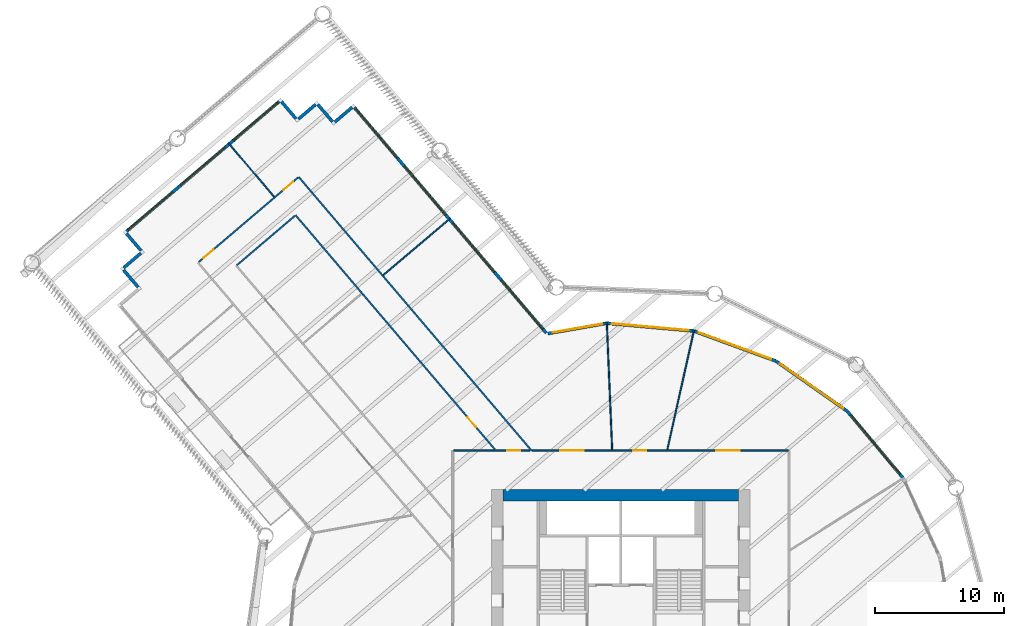
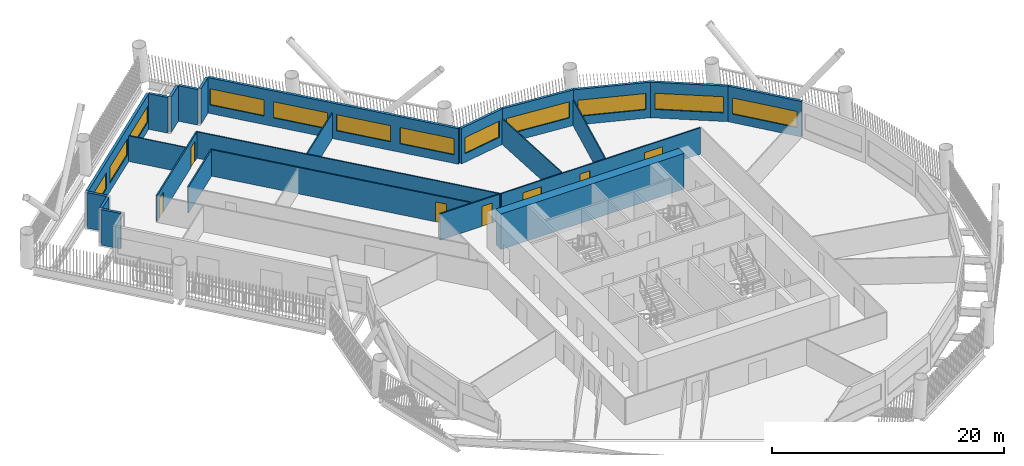
# One storey, part 7 of 21: 25 walls, 12 windows, 7 doors, 19 openings.
"""IFC4 building model written with IfcOpenShell, lengths in metres."""

from ifc_helpers import new_model, si_unit, direction, frame, frame_2d, origin, place, context, subcontext, project, spatial, rectangle, extrude, material, layer, layer_set, type_object, element, fill, save


model = new_model("IFC4")

# Units and contexts
model_context = context("Model", 3, precision=1e-05, world=origin(), true_north=direction((0.0, 1.0)))
body_context = subcontext(model_context, "Body", "Model", "MODEL_VIEW")
ifc_project = project(units=[si_unit("LENGTHUNIT", "METRE"), si_unit("AREAUNIT", "SQUARE_METRE"), si_unit("VOLUMEUNIT", "CUBIC_METRE"), si_unit("PLANEANGLEUNIT", "RADIAN"), si_unit("MASSUNIT", "GRAM", prefix="KILO")], contexts=[model_context])

# Site, building, storey
site_placement = place(None, origin())
site = spatial("IfcSite", under=ifc_project, at=site_placement, CompositionType="ELEMENT")
building_placement = place(site_placement, origin())
building = spatial("IfcBuilding", under=site, at=building_placement, Name="Tarsis Ring Headquarters", CompositionType="ELEMENT")
storey_placement = place(building_placement, frame((0.0, 0.0, 47.800048828125)))
storey = spatial("IfcBuildingStorey", under=building, at=storey_placement, Name="L09", CompositionType="ELEMENT", Elevation=47.800048828125)

# Walls
ifc_material_1 = material(Name="Concrete C60/75", Category="concrete")
ifc_layer_1 = layer(ifc_material_1, 0.89990234375)
ifc_layer_set_1 = layer_set([ifc_layer_1], Name="Core wall 900 C60/75")
wall_type_1 = type_object("IfcWallType", Name="Core wall 900 C60/75", PredefinedType="SHEAR", material=ifc_layer_set_1)
wall_1_placement = place(storey_placement, frame((-9.10009765625, 12.550048828125, 0.0), z_axis=(0.0, 0.0, 1.0), x_axis=(1.0, 0.0, 0.0)))
element("IfcWall", 1, at=wall_1_placement, inside=storey, type_object=wall_type_1, Name="Core wall ON", PredefinedType="SHEAR", context=body_context, shape_type="SweptSolid", body=[
    extrude(rectangle(XDim=18.2001953125, YDim=0.89990234375, at=frame_2d((9.10009765625, 0.0))), origin(), (0.0, 0.0, 1.0), 3.739990234375),
])
ifc_material_2 = material(Name="Gypsum board on steel studs", Category="steel")
ifc_layer_2 = layer(ifc_material_2, 0.10009765625)
ifc_layer_set_2 = layer_set([ifc_layer_2], Name="FL partition 100 unrated")
wall_type_2 = type_object("IfcWallType", Name="FL partition 100 unrated", PredefinedType="PARTITIONING", material=ifc_layer_set_2)
wall_2_placement = place(storey_placement, frame((-1.086669921875, 25.925048828125, 0.0), z_axis=(0.0, 0.0, 1.0), x_axis=(0.041878653746, -0.999122704356, 0.0)))
element("IfcWall", 2, at=wall_2_placement, inside=storey, type_object=wall_type_2, Name="Partition PW3", PredefinedType="PARTITIONING", context=body_context, shape_type="SweptSolid", body=[
    extrude(rectangle(XDim=9.86376953125, YDim=0.10009765625, at=frame_2d((4.931884765625, 0.0))), origin(), (0.0, 0.0, 1.0), 2.699951171875),
])
wall_3_placement = place(storey_placement, frame((3.591796875, 16.068359375, 0.0), z_axis=(0.0, 0.0, 1.0), x_axis=(0.218137886552, 0.975917958873, 0.0)))
element("IfcWall", 3, at=wall_3_placement, inside=storey, type_object=wall_type_2, Name="Partition PW3", PredefinedType="PARTITIONING", context=body_context, shape_type="SweptSolid", body=[
    extrude(rectangle(XDim=9.48291015625, YDim=0.10009765625, at=frame_2d((4.741455078125, 0.0))), origin(), (0.0, 0.0, 1.0), 2.699951171875),
])
wall_4_placement = place(storey_placement, frame((-18.363525390625, 29.5693359375, 0.0), z_axis=(0.0, 0.0, 1.0), x_axis=(0.761520075531, 0.648141322987, 0.0)))
element("IfcWall", 4, at=wall_4_placement, inside=storey, type_object=wall_type_2, Name="Partition PW3", PredefinedType="PARTITIONING", context=body_context, shape_type="SweptSolid", body=[
    extrude(rectangle(XDim=6.77001953125, YDim=0.10009765625, at=frame_2d((3.385009765625, 0.0))), origin(), (0.0, 0.0, 1.0), 2.699951171875),
])
wall_5_placement = place(storey_placement, frame((-30.34033203125, 39.769287109375, 0.0), z_axis=(0.0, 0.0, 1.0), x_axis=(0.648132499408, -0.761527585325, 0.0)))
element("IfcWall", 5, at=wall_5_placement, inside=storey, type_object=wall_type_2, Name="Partition PW3", PredefinedType="PARTITIONING", context=body_context, shape_type="SweptSolid", body=[
    extrude(rectangle(XDim=5.429931640625, YDim=0.10009765625, at=frame_2d((2.71484375, 0.0))), origin(), (0.0, 0.0, 1.0), 2.699951171875),
])
ifc_layer_3 = layer(ifc_material_2, 0.125)
ifc_layer_set_3 = layer_set([ifc_layer_3], Name="FL partition 125 EI 60 H2770")
wall_type_3 = type_object("IfcWallType", Name="FL partition 125 EI 60 H2770", PredefinedType="PARTITIONING", material=ifc_layer_set_3)
wall_6_placement = place(storey_placement, frame((-24.91748046875, 37.162353515625, 0.0), z_axis=(0.0, 0.0, 1.0), x_axis=(0.648118304309, -0.761539666478, 0.0)))
element("IfcWall", 6, at=wall_6_placement, inside=storey, type_object=wall_type_3, Name="Partition PW1", PredefinedType="PARTITIONING", context=body_context, shape_type="SweptSolid", body=[
    extrude(rectangle(XDim=27.788818359375, YDim=0.125, at=frame_2d((13.89453125, 0.0))), origin(), (0.0, 0.0, 1.0), 2.77001953125),
])

# Wall, opening, door
wall_7_placement = place(storey_placement, frame((-12.93896484375, 16.0, 0.0), z_axis=(0.0, 0.0, 1.0), x_axis=(1.0, 0.0, 0.0)))
wall_7 = element("IfcWall", 7, at=wall_7_placement, inside=storey, type_object=wall_type_3, Name="Partition PW1", PredefinedType="PARTITIONING", context=body_context, shape_type="SweptSolid", body=[
    extrude(rectangle(XDim=5.896728515625, YDim=0.125, at=frame_2d((2.9482421875, 0.0))), origin(), (0.0, 0.0, 1.0), 2.77001953125),
])
opening_1_placement = place(wall_7_placement, frame((4.1533203125, 0.0, 0.0)))
opening_1 = element("IfcOpeningElement", 8, at=opening_1_placement, cuts=wall_7, Name="Opening D09.22", PredefinedType="OPENING", context=body_context, shape_type="SweptSolid", body=[
    extrude(rectangle(XDim=1.0, YDim=2.10009765625, at=frame_2d((0.5, 1.050048828125))), frame((0.0, 0.072509765625, 0.0), z_axis=(0.0, -1.0, 0.0), x_axis=(1.0, 0.0, 0.0)), (0.0, 0.0, 1.0), 0.14501953125),
])
ifc_material_3 = material(Name="Fire-rated timber door leaf in steel frame", Category="steel")
door_type_1 = type_object("IfcDoorType", Name="FL door FD60-1000", OperationType="NOTDEFINED", PredefinedType="DOOR", material=ifc_material_3)
door_1_placement = place(opening_1_placement, origin())
door_1 = element("IfcDoor", 9, at=door_1_placement, inside=storey, type_object=door_type_1, Name="Door D09.22", OperationType="SINGLE_SWING_LEFT", OverallHeight=2.10009765625, OverallWidth=1.0, PredefinedType="DOOR", context=body_context, shape_type="SweptSolid", body=[
    extrude(rectangle(XDim=1.0, YDim=2.10009765625, at=frame_2d((0.5, 1.050048828125))), frame((0.0, 0.02490234375, 0.0), z_axis=(0.0, -1.0, 0.0), x_axis=(1.0, 0.0, 0.0)), (0.0, 0.0, 1.0), 0.050048828125),
])
fill(opening_1, door_1)

# Wall, openings, doors
wall_8_placement = place(storey_placement, frame((-6.859375, 16.0, 0.0), z_axis=(0.0, 0.0, 1.0), x_axis=(1.0, 0.0, 0.0)))
wall_8 = element("IfcWall", 10, at=wall_8_placement, inside=storey, type_object=wall_type_3, Name="Partition PW1", PredefinedType="PARTITIONING", context=body_context, shape_type="SweptSolid", body=[
    extrude(rectangle(XDim=19.79931640625, YDim=0.125, at=frame_2d((9.899658203125, 0.0))), origin(), (0.0, 0.0, 1.0), 2.77001953125),
])
opening_2_placement = place(wall_8_placement, frame((2.170654296875, 0.0, 0.0)))
opening_2 = element("IfcOpeningElement", 11, at=opening_2_placement, cuts=wall_8, Name="Opening D09.03", PredefinedType="OPENING", context=body_context, shape_type="SweptSolid", body=[
    extrude(rectangle(XDim=1.800048828125, YDim=2.10009765625, at=frame_2d((0.89990234375, 1.050048828125))), frame((0.0, 0.072509765625, 0.0), z_axis=(0.0, -1.0, 0.0), x_axis=(1.0, 0.0, 0.0)), (0.0, 0.0, 1.0), 0.14501953125),
])
opening_3_placement = place(wall_8_placement, frame((7.812255859375, 0.0, 0.0)))
opening_3 = element("IfcOpeningElement", 12, at=opening_3_placement, cuts=wall_8, Name="Opening D09.04", PredefinedType="OPENING", context=body_context, shape_type="SweptSolid", body=[
    extrude(rectangle(XDim=1.0, YDim=2.10009765625, at=frame_2d((0.5, 1.050048828125))), frame((0.0, 0.072509765625, 0.0), z_axis=(0.0, -1.0, 0.0), x_axis=(1.0, 0.0, 0.0)), (0.0, 0.0, 1.0), 0.14501953125),
])
opening_4_placement = place(wall_8_placement, frame((14.24755859375, 0.0, 0.0)))
opening_4 = element("IfcOpeningElement", 13, at=opening_4_placement, cuts=wall_8, Name="Opening D09.05", PredefinedType="OPENING", context=body_context, shape_type="SweptSolid", body=[
    extrude(rectangle(XDim=1.800048828125, YDim=2.10009765625, at=frame_2d((0.89990234375, 1.050048828125))), frame((0.0, 0.072509765625, 0.0), z_axis=(0.0, -1.0, 0.0), x_axis=(1.0, 0.0, 0.0)), (0.0, 0.0, 1.0), 0.14501953125),
])
door_2_placement = place(opening_3_placement, origin())
door_2 = element("IfcDoor", 14, at=door_2_placement, inside=storey, type_object=door_type_1, Name="Door D09.04", OperationType="SINGLE_SWING_LEFT", OverallHeight=2.10009765625, OverallWidth=1.0, PredefinedType="DOOR", context=body_context, shape_type="SweptSolid", body=[
    extrude(rectangle(XDim=1.0, YDim=2.10009765625, at=frame_2d((0.5, 1.050048828125))), frame((0.0, 0.02490234375, 0.0), z_axis=(0.0, -1.0, 0.0), x_axis=(1.0, 0.0, 0.0)), (0.0, 0.0, 1.0), 0.050048828125),
])
fill(opening_3, door_2)
door_type_2 = type_object("IfcDoorType", Name="FL door FD60-1800", OperationType="DOUBLE_DOOR_SINGLE_SWING", PredefinedType="DOOR", material=ifc_material_3)
door_3_placement = place(opening_2_placement, origin())
door_3 = element("IfcDoor", 15, at=door_3_placement, inside=storey, type_object=door_type_2, Name="Door D09.03", OperationType="DOUBLE_DOOR_SINGLE_SWING", OverallHeight=2.10009765625, OverallWidth=1.800048828125, PredefinedType="DOOR", context=body_context, shape_type="SweptSolid", body=[
    extrude(rectangle(XDim=1.800048828125, YDim=2.10009765625, at=frame_2d((0.89990234375, 1.050048828125))), frame((0.0, 0.02490234375, 0.0), z_axis=(0.0, -1.0, 0.0), x_axis=(1.0, 0.0, 0.0)), (0.0, 0.0, 1.0), 0.050048828125),
])
fill(opening_2, door_3)
door_4_placement = place(opening_4_placement, origin())
door_4 = element("IfcDoor", 16, at=door_4_placement, inside=storey, type_object=door_type_2, Name="Door D09.05", OperationType="DOUBLE_DOOR_SINGLE_SWING", OverallHeight=2.10009765625, OverallWidth=1.800048828125, PredefinedType="DOOR", context=body_context, shape_type="SweptSolid", body=[
    extrude(rectangle(XDim=1.800048828125, YDim=2.10009765625, at=frame_2d((0.89990234375, 1.050048828125))), frame((0.0, 0.02490234375, 0.0), z_axis=(0.0, -1.0, 0.0), x_axis=(1.0, 0.0, 0.0)), (0.0, 0.0, 1.0), 0.050048828125),
])
fill(opening_4, door_4)

# Wall, opening, door
wall_9_placement = place(storey_placement, frame((-25.155517578125, 34.201904296875, 0.0), z_axis=(0.0, 0.0, 1.0), x_axis=(0.648120022936, -0.761538203815, 0.0)))
wall_9 = element("IfcWall", 17, at=wall_9_placement, inside=storey, type_object=wall_type_3, Name="Partition PW1", PredefinedType="PARTITIONING", context=body_context, shape_type="SweptSolid", body=[
    extrude(rectangle(XDim=23.781494140625, YDim=0.125, at=frame_2d((11.890625, 0.0))), origin(), (0.0, 0.0, 1.0), 2.77001953125),
])
opening_5_placement = place(wall_9_placement, frame((20.522216796875, 0.0, 0.0)))
opening_5 = element("IfcOpeningElement", 18, at=opening_5_placement, cuts=wall_9, Name="Opening D09.15", PredefinedType="OPENING", context=body_context, shape_type="SweptSolid", body=[
    extrude(rectangle(XDim=1.0, YDim=2.10009765625, at=frame_2d((0.5, 1.050048828125))), frame((0.0, 0.072509765625, 0.0), z_axis=(0.0, -1.0, 0.0), x_axis=(1.0, 0.0, 0.0)), (0.0, 0.0, 1.0), 0.14501953125),
])
door_5_placement = place(opening_5_placement, origin())
door_5 = element("IfcDoor", 19, at=door_5_placement, inside=storey, type_object=door_type_1, Name="Door D09.15", OperationType="SINGLE_SWING_RIGHT", OverallHeight=2.10009765625, OverallWidth=1.0, PredefinedType="DOOR", context=body_context, shape_type="SweptSolid", body=[
    extrude(rectangle(XDim=1.0, YDim=2.10009765625, at=frame_2d((0.5, 1.050048828125))), frame((0.0, 0.02490234375, 0.0), z_axis=(0.0, -1.0, 0.0), x_axis=(1.0, 0.0, 0.0)), (0.0, 0.0, 1.0), 0.050048828125),
])
fill(opening_5, door_5)

# Wall, openings, doors
wall_10_placement = place(storey_placement, frame((-32.65478515625, 30.577392578125, 0.0), z_axis=(0.0, 0.0, 1.0), x_axis=(0.761548528009, 0.648107891857, 0.0)))
wall_10 = element("IfcWall", 20, at=wall_10_placement, inside=storey, type_object=wall_type_3, Name="Partition PW1", PredefinedType="PARTITIONING", context=body_context, shape_type="SweptSolid", body=[
    extrude(rectangle(XDim=10.10009765625, YDim=0.125, at=frame_2d((5.050048828125, 0.0))), origin(), (0.0, 0.0, 1.0), 2.77001953125),
])
opening_6_placement = place(wall_10_placement, frame((0.489990234375, 0.0, 0.0)))
opening_6 = element("IfcOpeningElement", 21, at=opening_6_placement, cuts=wall_10, Name="Opening D09.01", PredefinedType="OPENING", context=body_context, shape_type="SweptSolid", body=[
    extrude(rectangle(XDim=1.0, YDim=2.10009765625, at=frame_2d((0.5, 1.050048828125))), frame((0.0, 0.072509765625, 0.0), z_axis=(0.0, -1.0, 0.0), x_axis=(1.0, 0.0, 0.0)), (0.0, 0.0, 1.0), 0.14501953125),
])
opening_7_placement = place(wall_10_placement, frame((8.610107421875, 0.0, 0.0)))
opening_7 = element("IfcOpeningElement", 22, at=opening_7_placement, cuts=wall_10, Name="Opening D09.02", PredefinedType="OPENING", context=body_context, shape_type="SweptSolid", body=[
    extrude(rectangle(XDim=1.0, YDim=2.10009765625, at=frame_2d((0.5, 1.050048828125))), frame((0.0, 0.072509765625, 0.0), z_axis=(0.0, -1.0, 0.0), x_axis=(1.0, 0.0, 0.0)), (0.0, 0.0, 1.0), 0.14501953125),
])
door_6_placement = place(opening_6_placement, origin())
door_6 = element("IfcDoor", 23, at=door_6_placement, inside=storey, type_object=door_type_1, Name="Door D09.01", OperationType="SINGLE_SWING_RIGHT", OverallHeight=2.10009765625, OverallWidth=1.0, PredefinedType="DOOR", context=body_context, shape_type="SweptSolid", body=[
    extrude(rectangle(XDim=1.0, YDim=2.10009765625, at=frame_2d((0.5, 1.050048828125))), frame((0.0, 0.02490234375, 0.0), z_axis=(0.0, -1.0, 0.0), x_axis=(1.0, 0.0, 0.0)), (0.0, 0.0, 1.0), 0.050048828125),
])
fill(opening_6, door_6)
door_7_placement = place(opening_7_placement, origin())
door_7 = element("IfcDoor", 24, at=door_7_placement, inside=storey, type_object=door_type_1, Name="Door D09.02", OperationType="SINGLE_SWING_LEFT", OverallHeight=2.10009765625, OverallWidth=1.0, PredefinedType="DOOR", context=body_context, shape_type="SweptSolid", body=[
    extrude(rectangle(XDim=1.0, YDim=2.10009765625, at=frame_2d((0.5, 1.050048828125))), frame((0.0, 0.02490234375, 0.0), z_axis=(0.0, -1.0, 0.0), x_axis=(1.0, 0.0, 0.0)), (0.0, 0.0, 1.0), 0.050048828125),
])
fill(opening_7, door_7)

# Wall
wall_11_placement = place(storey_placement, frame((-29.6943359375, 30.339111328125, 0.0), z_axis=(0.0, 0.0, 1.0), x_axis=(0.761521572741, 0.648139563867, 0.0)))
element("IfcWall", 25, at=wall_11_placement, inside=storey, type_object=wall_type_3, Name="Partition PW1", PredefinedType="PARTITIONING", context=body_context, shape_type="SweptSolid", body=[
    extrude(rectangle(XDim=5.89990234375, YDim=0.125, at=frame_2d((2.949951171875, 0.0))), origin(), (0.0, 0.0, 1.0), 2.77001953125),
])

# Wall, opening, window
ifc_material_4 = material(Name="Terracotta clad insulated panel wall", Category="masonry")
ifc_layer_4 = layer(ifc_material_4, 0.25)
ifc_layer_set_4 = layer_set([ifc_layer_4], Name="Facade wall terracotta panel 250")
wall_type_4 = type_object("IfcWallType", Name="Facade wall terracotta panel 250", PredefinedType="STANDARD", material=ifc_layer_set_4)
wall_12_placement = place(storey_placement, frame((21.83544921875, 13.87646484375, 0.0), z_axis=(0.0, 0.0, 1.0), x_axis=(-0.641433956666, 0.767178257797, 0.0)))
wall_12 = element("IfcWall", 26, at=wall_12_placement, inside=storey, type_object=wall_type_4, Name="External wall L09-26", PredefinedType="STANDARD", context=body_context, shape_type="SweptSolid", body=[
    extrude(rectangle(XDim=6.7216796875, YDim=0.25, at=frame_2d((3.36083984375, 0.0))), origin(), (0.0, 0.0, 1.0), 3.739990234375),
])
opening_8_placement = place(wall_12_placement, frame((0.3857421875, 0.0, 0.89990234375)))
opening_8 = element("IfcOpeningElement", 27, at=opening_8_placement, cuts=wall_12, Name="Opening WN07", PredefinedType="OPENING", context=body_context, shape_type="SweptSolid", body=[
    extrude(rectangle(XDim=5.949951171875, YDim=1.699951171875, at=frame_2d((2.97509765625, 0.85009765625))), frame((0.0, 0.135009765625, 0.0), z_axis=(0.0, -1.0, 0.0), x_axis=(1.0, 0.0, 0.0)), (0.0, 0.0, 1.0), 0.27001953125),
])
ifc_material_5 = material(Name="Aluminium framed double glazing", Category="aluminium")
window_type_1 = type_object("IfcWindowType", Name="Facade window 5950 x 1700", PartitioningType="SINGLE_PANEL", PredefinedType="WINDOW", material=ifc_material_5)
window_1_placement = place(opening_8_placement, origin())
window_1 = element("IfcWindow", 28, at=window_1_placement, inside=storey, type_object=window_type_1, Name="Window L09-26.1", OverallHeight=1.699951171875, OverallWidth=5.949951171875, PartitioningType="SINGLE_PANEL", PredefinedType="WINDOW", context=body_context, shape_type="SweptSolid", body=[
    extrude(rectangle(XDim=5.949951171875, YDim=1.699951171875, at=frame_2d((2.97509765625, 0.85009765625))), frame((0.0, 0.030029296875, 0.0), z_axis=(0.0, -1.0, 0.0), x_axis=(1.0, 0.0, 0.0)), (0.0, 0.0, 1.0), 0.06005859375),
])
fill(opening_8, window_1)

wall_13_placement = place(storey_placement, frame((17.5, 19.05517578125, 0.0), z_axis=(0.0, 0.0, 1.0), x_axis=(-0.818146900541, 0.575009260043, 0.0)))
wall_13 = element("IfcWall", 29, at=wall_13_placement, inside=storey, type_object=wall_type_4, Name="External wall L09-27", PredefinedType="STANDARD", context=body_context, shape_type="SweptSolid", body=[
    extrude(rectangle(XDim=6.7216796875, YDim=0.25, at=frame_2d((3.36083984375, 0.0))), origin(), (0.0, 0.0, 1.0), 3.739990234375),
])
opening_9_placement = place(wall_13_placement, frame((0.3857421875, 0.0, 0.89990234375)))
opening_9 = element("IfcOpeningElement", 30, at=opening_9_placement, cuts=wall_13, Name="Opening WN07", PredefinedType="OPENING", context=body_context, shape_type="SweptSolid", body=[
    extrude(rectangle(XDim=5.949951171875, YDim=1.699951171875, at=frame_2d((2.97509765625, 0.85009765625))), frame((0.0, 0.135009765625, 0.0), z_axis=(0.0, -1.0, 0.0), x_axis=(1.0, 0.0, 0.0)), (0.0, 0.0, 1.0), 0.27001953125),
])
window_2_placement = place(opening_9_placement, origin())
window_2 = element("IfcWindow", 31, at=window_2_placement, inside=storey, type_object=window_type_1, Name="Window L09-27.1", OverallHeight=1.699951171875, OverallWidth=5.949951171875, PartitioningType="SINGLE_PANEL", PredefinedType="WINDOW", context=body_context, shape_type="SweptSolid", body=[
    extrude(rectangle(XDim=5.949951171875, YDim=1.699951171875, at=frame_2d((2.97509765625, 0.85009765625))), frame((0.0, 0.030029296875, 0.0), z_axis=(0.0, -1.0, 0.0), x_axis=(1.0, 0.0, 0.0)), (0.0, 0.0, 1.0), 0.06005859375),
])
fill(opening_9, window_2)

wall_14_placement = place(storey_placement, frame((11.971923828125, 22.935302734375, 0.0), z_axis=(0.0, 0.0, 1.0), x_axis=(-0.939101125744, 0.343640910875, 0.0)))
wall_14 = element("IfcWall", 32, at=wall_14_placement, inside=storey, type_object=wall_type_4, Name="External wall L09-28", PredefinedType="STANDARD", context=body_context, shape_type="SweptSolid", body=[
    extrude(rectangle(XDim=6.7216796875, YDim=0.25, at=frame_2d((3.36083984375, 0.0))), origin(), (0.0, 0.0, 1.0), 3.739990234375),
])
opening_10_placement = place(wall_14_placement, frame((0.3857421875, 0.0, 0.89990234375)))
opening_10 = element("IfcOpeningElement", 33, at=opening_10_placement, cuts=wall_14, Name="Opening WN07", PredefinedType="OPENING", context=body_context, shape_type="SweptSolid", body=[
    extrude(rectangle(XDim=5.949951171875, YDim=1.699951171875, at=frame_2d((2.97509765625, 0.85009765625))), frame((0.0, 0.135009765625, 0.0), z_axis=(0.0, -1.0, 0.0), x_axis=(1.0, 0.0, 0.0)), (0.0, 0.0, 1.0), 0.27001953125),
])
window_3_placement = place(opening_10_placement, origin())
window_3 = element("IfcWindow", 34, at=window_3_placement, inside=storey, type_object=window_type_1, Name="Window L09-28.1", OverallHeight=1.699951171875, OverallWidth=5.949951171875, PartitioningType="SINGLE_PANEL", PredefinedType="WINDOW", context=body_context, shape_type="SweptSolid", body=[
    extrude(rectangle(XDim=5.949951171875, YDim=1.699951171875, at=frame_2d((2.97509765625, 0.85009765625))), frame((0.0, 0.030029296875, 0.0), z_axis=(0.0, -1.0, 0.0), x_axis=(1.0, 0.0, 0.0)), (0.0, 0.0, 1.0), 0.06005859375),
])
fill(opening_10, window_3)

wall_15_placement = place(storey_placement, frame((5.6279296875, 25.252197265625, 0.0), z_axis=(0.0, 0.0, 1.0), x_axis=(-0.996039256374, 0.088914564402, 0.0)))
wall_15 = element("IfcWall", 35, at=wall_15_placement, inside=storey, type_object=wall_type_4, Name="External wall L09-29", PredefinedType="STANDARD", context=body_context, shape_type="SweptSolid", body=[
    extrude(rectangle(XDim=6.7216796875, YDim=0.25, at=frame_2d((3.36083984375, 0.0))), origin(), (0.0, 0.0, 1.0), 3.739990234375),
])
opening_11_placement = place(wall_15_placement, frame((0.3857421875, 0.0, 0.89990234375)))
opening_11 = element("IfcOpeningElement", 36, at=opening_11_placement, cuts=wall_15, Name="Opening WN07", PredefinedType="OPENING", context=body_context, shape_type="SweptSolid", body=[
    extrude(rectangle(XDim=5.949951171875, YDim=1.699951171875, at=frame_2d((2.97509765625, 0.85009765625))), frame((0.0, 0.135009765625, 0.0), z_axis=(0.0, -1.0, 0.0), x_axis=(1.0, 0.0, 0.0)), (0.0, 0.0, 1.0), 0.27001953125),
])
window_4_placement = place(opening_11_placement, origin())
window_4 = element("IfcWindow", 37, at=window_4_placement, inside=storey, type_object=window_type_1, Name="Window L09-29.1", OverallHeight=1.699951171875, OverallWidth=5.949951171875, PartitioningType="SINGLE_PANEL", PredefinedType="WINDOW", context=body_context, shape_type="SweptSolid", body=[
    extrude(rectangle(XDim=5.949951171875, YDim=1.699951171875, at=frame_2d((2.97509765625, 0.85009765625))), frame((0.0, 0.030029296875, 0.0), z_axis=(0.0, -1.0, 0.0), x_axis=(1.0, 0.0, 0.0)), (0.0, 0.0, 1.0), 0.06005859375),
])
fill(opening_11, window_4)

wall_16_placement = place(storey_placement, frame((-1.099609375, 25.848388671875, 0.0), z_axis=(0.0, 0.0, 1.0), x_axis=(-0.985109138877, -0.171930173328, 0.0)))
wall_16 = element("IfcWall", 38, at=wall_16_placement, inside=storey, type_object=wall_type_4, Name="External wall L09-30", PredefinedType="STANDARD", context=body_context, shape_type="SweptSolid", body=[
    extrude(rectangle(XDim=4.617919921875, YDim=0.25, at=frame_2d((2.30908203125, 0.0))), origin(), (0.0, 0.0, 1.0), 3.739990234375),
])
opening_12_placement = place(wall_16_placement, frame((0.367431640625, 0.0, 0.89990234375)))
opening_12 = element("IfcOpeningElement", 39, at=opening_12_placement, cuts=wall_16, Name="Opening WN02", PredefinedType="OPENING", context=body_context, shape_type="SweptSolid", body=[
    extrude(rectangle(XDim=3.85009765625, YDim=1.699951171875, at=frame_2d((1.925048828125, 0.85009765625))), frame((0.0, 0.135009765625, 0.0), z_axis=(0.0, -1.0, 0.0), x_axis=(1.0, 0.0, 0.0)), (0.0, 0.0, 1.0), 0.27001953125),
])
window_type_2 = type_object("IfcWindowType", Name="Facade window 3850 x 1700", PartitioningType="SINGLE_PANEL", PredefinedType="WINDOW", material=ifc_material_5)
window_5_placement = place(opening_12_placement, origin())
window_5 = element("IfcWindow", 40, at=window_5_placement, inside=storey, type_object=window_type_2, Name="Window L09-30.1", OverallHeight=1.699951171875, OverallWidth=3.85009765625, PartitioningType="SINGLE_PANEL", PredefinedType="WINDOW", context=body_context, shape_type="SweptSolid", body=[
    extrude(rectangle(XDim=3.85009765625, YDim=1.699951171875, at=frame_2d((1.925048828125, 0.85009765625))), frame((0.0, 0.030029296875, 0.0), z_axis=(0.0, -1.0, 0.0), x_axis=(1.0, 0.0, 0.0)), (0.0, 0.0, 1.0), 0.06005859375),
])
fill(opening_12, window_5)

# Wall, openings, windows
wall_17_placement = place(storey_placement, frame((-5.765380859375, 25.0966796875, 0.0), z_axis=(0.0, 0.0, 1.0), x_axis=(-0.648120208042, 0.761538046277, 0.0)))
wall_17 = element("IfcWall", 41, at=wall_17_placement, inside=storey, type_object=wall_type_4, Name="External wall L09-31", PredefinedType="STANDARD", context=body_context, shape_type="SweptSolid", body=[
    extrude(rectangle(XDim=22.9013671875, YDim=0.25, at=frame_2d((11.45068359375, 0.0))), origin(), (0.0, 0.0, 1.0), 3.739990234375),
])
opening_13_placement = place(wall_17_placement, frame((0.4189453125, 0.0, 0.89990234375)))
opening_13 = element("IfcOpeningElement", 42, at=opening_13_placement, cuts=wall_17, Name="Opening WN05", PredefinedType="OPENING", context=body_context, shape_type="SweptSolid", body=[
    extrude(rectangle(XDim=4.949951171875, YDim=1.699951171875, at=frame_2d((2.47509765625, 0.85009765625))), frame((0.0, 0.135009765625, 0.0), z_axis=(0.0, -1.0, 0.0), x_axis=(1.0, 0.0, 0.0)), (0.0, 0.0, 1.0), 0.27001953125),
])
opening_14_placement = place(wall_17_placement, frame((6.206787109375, 0.0, 0.89990234375)))
opening_14 = element("IfcOpeningElement", 43, at=opening_14_placement, cuts=wall_17, Name="Opening WN05", PredefinedType="OPENING", context=body_context, shape_type="SweptSolid", body=[
    extrude(rectangle(XDim=4.949951171875, YDim=1.699951171875, at=frame_2d((2.47509765625, 0.85009765625))), frame((0.0, 0.135009765625, 0.0), z_axis=(0.0, -1.0, 0.0), x_axis=(1.0, 0.0, 0.0)), (0.0, 0.0, 1.0), 0.27001953125),
])
opening_15_placement = place(wall_17_placement, frame((11.99462890625, 0.0, 0.89990234375)))
opening_15 = element("IfcOpeningElement", 44, at=opening_15_placement, cuts=wall_17, Name="Opening WN05", PredefinedType="OPENING", context=body_context, shape_type="SweptSolid", body=[
    extrude(rectangle(XDim=4.949951171875, YDim=1.699951171875, at=frame_2d((2.47509765625, 0.85009765625))), frame((0.0, 0.135009765625, 0.0), z_axis=(0.0, -1.0, 0.0), x_axis=(1.0, 0.0, 0.0)), (0.0, 0.0, 1.0), 0.27001953125),
])
opening_16_placement = place(wall_17_placement, frame((17.782470703125, 0.0, 0.89990234375)))
opening_16 = element("IfcOpeningElement", 45, at=opening_16_placement, cuts=wall_17, Name="Opening WN05", PredefinedType="OPENING", context=body_context, shape_type="SweptSolid", body=[
    extrude(rectangle(XDim=4.949951171875, YDim=1.699951171875, at=frame_2d((2.47509765625, 0.85009765625))), frame((0.0, 0.135009765625, 0.0), z_axis=(0.0, -1.0, 0.0), x_axis=(1.0, 0.0, 0.0)), (0.0, 0.0, 1.0), 0.27001953125),
])
window_type_3 = type_object("IfcWindowType", Name="Facade window 4950 x 1700", PartitioningType="SINGLE_PANEL", PredefinedType="WINDOW", material=ifc_material_5)
window_6_placement = place(opening_13_placement, origin())
window_6 = element("IfcWindow", 46, at=window_6_placement, inside=storey, type_object=window_type_3, Name="Window L09-31.1", OverallHeight=1.699951171875, OverallWidth=4.949951171875, PartitioningType="SINGLE_PANEL", PredefinedType="WINDOW", context=body_context, shape_type="SweptSolid", body=[
    extrude(rectangle(XDim=4.949951171875, YDim=1.699951171875, at=frame_2d((2.47509765625, 0.85009765625))), frame((0.0, 0.030029296875, 0.0), z_axis=(0.0, -1.0, 0.0), x_axis=(1.0, 0.0, 0.0)), (0.0, 0.0, 1.0), 0.06005859375),
])
fill(opening_13, window_6)
window_7_placement = place(opening_14_placement, origin())
window_7 = element("IfcWindow", 47, at=window_7_placement, inside=storey, type_object=window_type_3, Name="Window L09-31.2", OverallHeight=1.699951171875, OverallWidth=4.949951171875, PartitioningType="SINGLE_PANEL", PredefinedType="WINDOW", context=body_context, shape_type="SweptSolid", body=[
    extrude(rectangle(XDim=4.949951171875, YDim=1.699951171875, at=frame_2d((2.47509765625, 0.85009765625))), frame((0.0, 0.030029296875, 0.0), z_axis=(0.0, -1.0, 0.0), x_axis=(1.0, 0.0, 0.0)), (0.0, 0.0, 1.0), 0.06005859375),
])
fill(opening_14, window_7)
window_8_placement = place(opening_15_placement, origin())
window_8 = element("IfcWindow", 48, at=window_8_placement, inside=storey, type_object=window_type_3, Name="Window L09-31.3", OverallHeight=1.699951171875, OverallWidth=4.949951171875, PartitioningType="SINGLE_PANEL", PredefinedType="WINDOW", context=body_context, shape_type="SweptSolid", body=[
    extrude(rectangle(XDim=4.949951171875, YDim=1.699951171875, at=frame_2d((2.47509765625, 0.85009765625))), frame((0.0, 0.030029296875, 0.0), z_axis=(0.0, -1.0, 0.0), x_axis=(1.0, 0.0, 0.0)), (0.0, 0.0, 1.0), 0.06005859375),
])
fill(opening_15, window_8)
window_9_placement = place(opening_16_placement, origin())
window_9 = element("IfcWindow", 49, at=window_9_placement, inside=storey, type_object=window_type_3, Name="Window L09-31.4", OverallHeight=1.699951171875, OverallWidth=4.949951171875, PartitioningType="SINGLE_PANEL", PredefinedType="WINDOW", context=body_context, shape_type="SweptSolid", body=[
    extrude(rectangle(XDim=4.949951171875, YDim=1.699951171875, at=frame_2d((2.47509765625, 0.85009765625))), frame((0.0, 0.030029296875, 0.0), z_axis=(0.0, -1.0, 0.0), x_axis=(1.0, 0.0, 0.0)), (0.0, 0.0, 1.0), 0.06005859375),
])
fill(opening_16, window_9)

# Walls
for number, where, z_axis, x_axis, name in (
    (50, (-20.784423828125, 42.551025390625, 0.0), (0.0, 0.0, 1.0), (-0.761536459762, -0.648122072185, 0.0), "External wall L09-32"),
    (51, (-22.293212890625, 41.430908203125, 0.0), (0.0, 0.0, 1.0), (-0.648122072185, 0.761536459762, 0.0), "External wall L09-33"),
    (52, (-23.603759765625, 42.77783203125, 0.0), (0.0, 0.0, 1.0), (-0.761536459762, -0.648122072185, 0.0), "External wall L09-34"),
    (53, (-25.112548828125, 41.65771484375, 0.0), (0.0, 0.0, 1.0), (-0.648122072185, 0.761536459762, 0.0), "External wall L09-35"),
):
    element("IfcWall", number, at=place(storey_placement, frame(where, z_axis=z_axis, x_axis=x_axis)), inside=storey, type_object=wall_type_4, Name=name, PredefinedType="STANDARD", context=body_context, shape_type="SweptSolid", body=[
        extrude(rectangle(XDim=1.75, YDim=0.25, at=frame_2d((0.875, 0.0))), origin(), (0.0, 0.0, 1.0), 3.739990234375),
    ])

# Wall, openings, windows
wall_18_placement = place(storey_placement, frame((-26.423095703125, 43.004638671875, 0.0), z_axis=(0.0, 0.0, 1.0), x_axis=(-0.761533434935, -0.648125626307, 0.0)))
wall_18 = element("IfcWall", 54, at=wall_18_placement, inside=storey, type_object=wall_type_4, Name="External wall L09-36", PredefinedType="STANDARD", context=body_context, shape_type="SweptSolid", body=[
    extrude(rectangle(XDim=15.5, YDim=0.25, at=frame_2d((7.75, 0.0))), origin(), (0.0, 0.0, 1.0), 3.739990234375),
])
opening_17_placement = place(wall_18_placement, frame((0.166748046875, 0.0, 0.89990234375)))
opening_17 = element("IfcOpeningElement", 55, at=opening_17_placement, cuts=wall_18, Name="Opening WN04", PredefinedType="OPENING", context=body_context, shape_type="SweptSolid", body=[
    extrude(rectangle(XDim=4.5, YDim=1.699951171875, at=frame_2d((2.25, 0.85009765625))), frame((0.0, 0.135009765625, 0.0), z_axis=(0.0, -1.0, 0.0), x_axis=(1.0, 0.0, 0.0)), (0.0, 0.0, 1.0), 0.27001953125),
])
opening_18_placement = place(wall_18_placement, frame((5.5, 0.0, 0.89990234375)))
opening_18 = element("IfcOpeningElement", 56, at=opening_18_placement, cuts=wall_18, Name="Opening WN04", PredefinedType="OPENING", context=body_context, shape_type="SweptSolid", body=[
    extrude(rectangle(XDim=4.5, YDim=1.699951171875, at=frame_2d((2.25, 0.85009765625))), frame((0.0, 0.135009765625, 0.0), z_axis=(0.0, -1.0, 0.0), x_axis=(1.0, 0.0, 0.0)), (0.0, 0.0, 1.0), 0.27001953125),
])
opening_19_placement = place(wall_18_placement, frame((10.833251953125, 0.0, 0.89990234375)))
opening_19 = element("IfcOpeningElement", 57, at=opening_19_placement, cuts=wall_18, Name="Opening WN04", PredefinedType="OPENING", context=body_context, shape_type="SweptSolid", body=[
    extrude(rectangle(XDim=4.5, YDim=1.699951171875, at=frame_2d((2.25, 0.85009765625))), frame((0.0, 0.135009765625, 0.0), z_axis=(0.0, -1.0, 0.0), x_axis=(1.0, 0.0, 0.0)), (0.0, 0.0, 1.0), 0.27001953125),
])
window_type_4 = type_object("IfcWindowType", Name="Facade window 4500 x 1700", PartitioningType="SINGLE_PANEL", PredefinedType="WINDOW", material=ifc_material_5)
window_10_placement = place(opening_17_placement, origin())
window_10 = element("IfcWindow", 58, at=window_10_placement, inside=storey, type_object=window_type_4, Name="Window L09-36.1", OverallHeight=1.699951171875, OverallWidth=4.5, PartitioningType="SINGLE_PANEL", PredefinedType="WINDOW", context=body_context, shape_type="SweptSolid", body=[
    extrude(rectangle(XDim=4.5, YDim=1.699951171875, at=frame_2d((2.25, 0.85009765625))), frame((0.0, 0.030029296875, 0.0), z_axis=(0.0, -1.0, 0.0), x_axis=(1.0, 0.0, 0.0)), (0.0, 0.0, 1.0), 0.06005859375),
])
fill(opening_17, window_10)
window_11_placement = place(opening_18_placement, origin())
window_11 = element("IfcWindow", 59, at=window_11_placement, inside=storey, type_object=window_type_4, Name="Window L09-36.2", OverallHeight=1.699951171875, OverallWidth=4.5, PartitioningType="SINGLE_PANEL", PredefinedType="WINDOW", context=body_context, shape_type="SweptSolid", body=[
    extrude(rectangle(XDim=4.5, YDim=1.699951171875, at=frame_2d((2.25, 0.85009765625))), frame((0.0, 0.030029296875, 0.0), z_axis=(0.0, -1.0, 0.0), x_axis=(1.0, 0.0, 0.0)), (0.0, 0.0, 1.0), 0.06005859375),
])
fill(opening_18, window_11)
window_12_placement = place(opening_19_placement, origin())
window_12 = element("IfcWindow", 60, at=window_12_placement, inside=storey, type_object=window_type_4, Name="Window L09-36.3", OverallHeight=1.699951171875, OverallWidth=4.5, PartitioningType="SINGLE_PANEL", PredefinedType="WINDOW", context=body_context, shape_type="SweptSolid", body=[
    extrude(rectangle(XDim=4.5, YDim=1.699951171875, at=frame_2d((2.25, 0.85009765625))), frame((0.0, 0.030029296875, 0.0), z_axis=(0.0, -1.0, 0.0), x_axis=(1.0, 0.0, 0.0)), (0.0, 0.0, 1.0), 0.06005859375),
])
fill(opening_19, window_12)

# Walls
wall_19_placement = place(storey_placement, frame((-38.240966796875, 32.782470703125, 0.0), z_axis=(0.0, 0.0, 1.0), x_axis=(0.648110021137, -0.761546715902, 0.0)))
element("IfcWall", 61, at=wall_19_placement, inside=storey, type_object=wall_type_4, Name="External wall L09-37", PredefinedType="STANDARD", context=body_context, shape_type="SweptSolid", body=[
    extrude(rectangle(XDim=1.749755859375, YDim=0.25, at=frame_2d((0.875, 0.0))), origin(), (0.0, 0.0, 1.0), 3.739990234375),
])
for number, where, z_axis, x_axis, name in (
    (62, (-37.12109375, 31.273681640625, 0.0), (0.0, 0.0, 1.0), (-0.761536459762, -0.648122072185, 0.0), "External wall L09-38"),
    (63, (-38.468017578125, 29.96337890625, 0.0), (0.0, 0.0, 1.0), (0.648122072185, -0.761536459762, 0.0), "External wall L09-39"),
):
    element("IfcWall", number, at=place(storey_placement, frame(where, z_axis=z_axis, x_axis=x_axis)), inside=storey, type_object=wall_type_4, Name=name, PredefinedType="STANDARD", context=body_context, shape_type="SweptSolid", body=[
        extrude(rectangle(XDim=1.75, YDim=0.25, at=frame_2d((0.875, 0.0))), origin(), (0.0, 0.0, 1.0), 3.739990234375),
    ])

save(model, "model.ifc")
